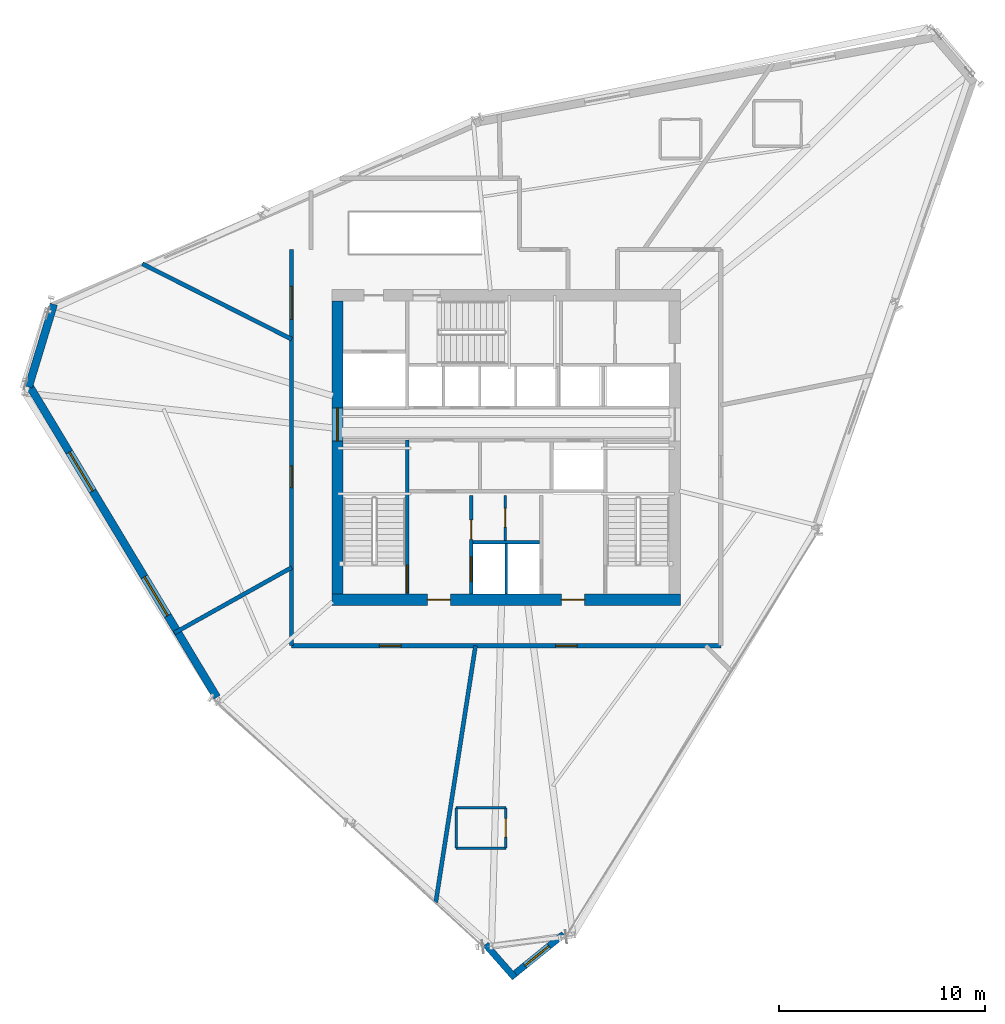
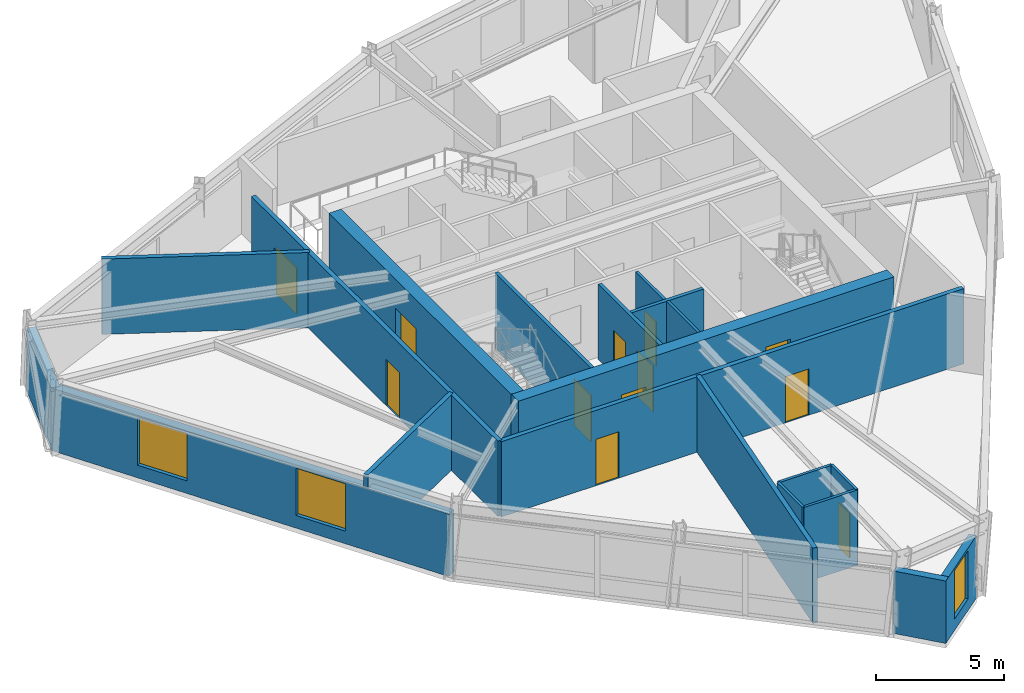
# One storey, part 9 of 13: 20 walls, 12 doors, 3 windows, 15 openings.
"""IFC4 building model written with IfcOpenShell, lengths in metres."""

import ifcopenshell
import ifcopenshell.guid

model = None  # the IFC model being written
_history = None  # IfcOwnerHistory: only IFC2X3 demands one
_inside = {}  # id of a spatial element -> (the spatial element, [elements in it])
_under = {}  # id of a project, library or spatial element -> (it, [spatial elements below it])
_declared = {}  # id of a project -> (the project, [libraries it declares])
_typed = {}  # id of a type object -> (the type object, [elements of that type])
_made_of = {}  # id of a material, layer set ... -> (it, [elements and type objects made of it])


def new_model(schema):
    """Start an empty IFC model of exactly this schema.

    Asked for "IFC4X3", IfcOpenShell would pick the latest addendum, in which some entities
    have other attributes; the version numbers below select the first issue.
    IFC2X3 requires an IfcOwnerHistory on every rooted entity: one is made here for all.
    """
    global model, _history
    if schema == "IFC4X3":
        model = ifcopenshell.file(schema_version=(4, 3, 0, 0))
    else:
        model = ifcopenshell.file(schema=schema)
    _inside.clear()
    _under.clear()
    _declared.clear()
    _typed.clear()
    _made_of.clear()
    _history = None
    if model.schema == "IFC2X3":
        org = make("IfcOrganization", Name="unknown")
        user = make(
            "IfcPersonAndOrganization",
            ThePerson=make("IfcPerson", FamilyName="unknown"),
            TheOrganization=org,
        )
        app = make(
            "IfcApplication",
            ApplicationDeveloper=org,
            Version="unknown",
            ApplicationFullName="unknown",
            ApplicationIdentifier="unknown",
        )
        _history = make(
            "IfcOwnerHistory",
            OwningUser=user,
            OwningApplication=app,
            ChangeAction="ADDED",
            CreationDate=0,
        )
    return model


def make(cls, **values):
    """One entity of the class cls with the attributes given. An attribute that is None is left unset."""
    return model.create_entity(
        cls, **{name: value for name, value in values.items() if value is not None}
    )


def rooted(cls, **values):
    """An entity with a GlobalId (a new one), such as an element, a storey or a relation."""
    return make(cls, GlobalId=ifcopenshell.guid.new(), OwnerHistory=_history, **values)


def si_unit(unit_type, name, prefix=None):
    """IfcSIUnit, for example si_unit("LENGTHUNIT", "METRE", prefix="MILLI")."""
    return make("IfcSIUnit", UnitType=unit_type, Prefix=prefix, Name=name)


def assignment(units):
    """IfcUnitAssignment: the units of a project."""
    return None if units is None else make("IfcUnitAssignment", Units=units)


def point(xyz):
    """IfcCartesianPoint."""
    return None if xyz is None else make("IfcCartesianPoint", Coordinates=xyz)


def direction(xyz):
    """IfcDirection."""
    return None if xyz is None else make("IfcDirection", DirectionRatios=xyz)


def frame(location, z_axis=None, x_axis=None):
    """IfcAxis2Placement3D, a coordinate frame: its origin and axes. An axis left out is left unset."""
    return make(
        "IfcAxis2Placement3D",
        Location=point(location),
        Axis=direction(z_axis),
        RefDirection=direction(x_axis),
    )


def frame_2d(location, x_axis=None):
    """IfcAxis2Placement2D, a coordinate frame in the plane: its origin and x axis."""
    return make(
        "IfcAxis2Placement2D", Location=point(location), RefDirection=direction(x_axis)
    )


def origin():
    """The frame at (0, 0, 0) with its axes left unset."""
    return frame((0.0, 0.0, 0.0))


def place(relative_to, where):
    """IfcLocalPlacement: puts the frame where relative to a parent placement (None: the world)."""
    return make(
        "IfcLocalPlacement", PlacementRelTo=relative_to, RelativePlacement=where
    )


def context(
    kind, dimensions, precision=None, world=None, true_north=None, identifier=None
):
    """IfcGeometricRepresentationContext, for example the 3D "Model" context."""
    return make(
        "IfcGeometricRepresentationContext",
        ContextIdentifier=identifier,
        ContextType=kind,
        CoordinateSpaceDimension=dimensions,
        Precision=precision,
        WorldCoordinateSystem=world,
        TrueNorth=true_north,
    )


def subcontext(parent, identifier, kind, view, scale=None):
    """IfcGeometricRepresentationSubContext, for example "Body" below "Model"."""
    return make(
        "IfcGeometricRepresentationSubContext",
        ContextIdentifier=identifier,
        ContextType=kind,
        ParentContext=parent,
        TargetScale=scale,
        TargetView=view,
    )


def project(units=None, contexts=None):
    """IfcProject with its units and contexts."""
    return rooted(
        "IfcProject",
        Name="project",
        RepresentationContexts=contexts,
        UnitsInContext=assignment(units),
    )


def spatial(cls, under=None, at=None, **own):
    """A site, building, storey or space (cls), placed at a placement, below another one or the project."""
    s = rooted(cls, ObjectPlacement=at, **own)
    if under is not None:
        _under.setdefault(under.id(), (under, []))[1].append(s)
    return s


def profile(cls, at=None, kind="AREA", **sizes):
    """A parametric profile (cls). Its sizes go by their IFC names, for example OverallWidth=200.0."""
    return make(cls, ProfileType=kind, Position=at, **sizes)


def rectangle(**sizes):
    """IfcRectangleProfileDef."""
    return profile("IfcRectangleProfileDef", **sizes)


def extrude(swept, where, along, depth):
    """IfcExtrudedAreaSolid: the profile swept, set in the frame where, extruded along a direction by depth."""
    return make(
        "IfcExtrudedAreaSolid",
        SweptArea=swept,
        Position=where,
        ExtrudedDirection=direction(along),
        Depth=depth,
    )


def shape(context_of_items, identifier, shape_type, items):
    """IfcShapeRepresentation: the items that make up one representation, for example the "Body"."""
    return make(
        "IfcShapeRepresentation",
        ContextOfItems=context_of_items,
        RepresentationIdentifier=identifier,
        RepresentationType=shape_type,
        Items=items,
    )


def source(mapping_origin, context_of_items, identifier, shape_type, items):
    """IfcRepresentationMap: a shape defined once, which mapped items show again and again."""
    return make(
        "IfcRepresentationMap",
        MappingOrigin=mapping_origin,
        MappedRepresentation=shape(context_of_items, identifier, shape_type, items),
    )


def transform(
    local_origin,
    x_axis=None,
    y_axis=None,
    z_axis=None,
    scale=None,
    scale2=None,
    scale3=None,
    uniform=True,
):
    """IfcCartesianTransformationOperator3D, or its non-uniform kind. x_axis, y_axis, z_axis: its Axis1, 2, 3."""
    if uniform:
        return make(
            "IfcCartesianTransformationOperator3D",
            Axis1=direction(x_axis),
            Axis2=direction(y_axis),
            LocalOrigin=point(local_origin),
            Scale=scale,
            Axis3=direction(z_axis),
        )
    return make(
        "IfcCartesianTransformationOperator3DnonUniform",
        Axis1=direction(x_axis),
        Axis2=direction(y_axis),
        LocalOrigin=point(local_origin),
        Scale=scale,
        Axis3=direction(z_axis),
        Scale2=scale2,
        Scale3=scale3,
    )


def mapped(mapping_source, mapping_target):
    """IfcMappedItem: shows the shape of a source again, moved by a transform."""
    return make(
        "IfcMappedItem", MappingSource=mapping_source, MappingTarget=mapping_target
    )


def material(Name=None, Category=None):
    """IfcMaterial."""
    return make("IfcMaterial", Name=Name, Category=Category)


def layer(
    of_material, thickness, ventilated=None, Name=None, Category=None, Priority=None
):
    """IfcMaterialLayer: one layer of a wall or slab, of a material (None: an air gap)."""
    return make(
        "IfcMaterialLayer",
        Material=of_material,
        LayerThickness=thickness,
        IsVentilated=ventilated,
        Name=Name,
        Category=Category,
        Priority=Priority,
    )


def layer_set(layers, Name=None):
    """IfcMaterialLayerSet."""
    return make("IfcMaterialLayerSet", MaterialLayers=layers, LayerSetName=Name)


def made_of(thing, what):
    """Note that an element or type object is made of a material, layer set ...; save() writes the relation."""
    if what is not None:
        _made_of.setdefault(what.id(), (what, []))[1].append(thing)
    return thing


def type_object(cls, material=None, **own):
    """A type object (cls), such as IfcWallType, which elements share."""
    return made_of(rooted(cls, **own), material)


def type_shapes(of_type, sources):
    """Give a type object the sources (RepresentationMaps) that its elements show as mapped items."""
    of_type.RepresentationMaps = sources


def element(
    cls,
    number,
    at=None,
    inside=None,
    cuts=None,
    type_object=None,
    material=None,
    context=None,
    identifier="Body",
    shape_type=None,
    held_by="IfcProductDefinitionShape",
    body=None,
    shapes=None,
    **own,
):
    """One element of the class cls, such as IfcWall. Its Tag is "e" and its number.

    at: its placement. inside: the storey or other place that contains it. cuts: it is an
    opening in that element (IfcRelVoidsElement). A single representation is given by context,
    identifier, shape_type and body (its items); several are given by shapes. held_by: the class
    of the entity that holds the representations. save() writes the other relations.
    """
    e = rooted(cls, Tag="e%d" % number, ObjectPlacement=at, **own)
    if body is not None:
        shapes = [shape(context, identifier, shape_type, body)]
    if shapes is not None:
        e.Representation = make(held_by, Representations=shapes)
    if inside is not None:
        _inside.setdefault(inside.id(), (inside, []))[1].append(e)
    if cuts is not None:
        rooted(
            "IfcRelVoidsElement", RelatingBuildingElement=cuts, RelatedOpeningElement=e
        )
    if type_object is not None:
        _typed.setdefault(type_object.id(), (type_object, []))[1].append(e)
    return made_of(e, material)


def fill(opening, filler):
    """IfcRelFillsElement: the door or window that sits in an opening."""
    return rooted(
        "IfcRelFillsElement",
        RelatingOpeningElement=opening,
        RelatedBuildingElement=filler,
    )


def aggregate(whole, parts):
    """IfcRelAggregates: a whole, such as a stair, and the parts it consists of."""
    return rooted("IfcRelAggregates", RelatingObject=whole, RelatedObjects=parts)


def save(model, path):
    """Write the relations noted so far, then the file.

    IfcRelAggregates (storeys below a building ...), IfcRelContainedInSpatialStructure (elements
    in a storey), IfcRelDefinesByType, IfcRelAssociatesMaterial and IfcRelDeclares: one each for
    every whole, place, type object, material and project.
    """
    for whole, parts in _under.values():
        aggregate(whole, parts)
    for where, things in _inside.values():
        rooted(
            "IfcRelContainedInSpatialStructure",
            RelatedElements=things,
            RelatingStructure=where,
        )
    for kind, things in _typed.values():
        rooted("IfcRelDefinesByType", RelatedObjects=things, RelatingType=kind)
    for what, things in _made_of.values():
        rooted("IfcRelAssociatesMaterial", RelatedObjects=things, RelatingMaterial=what)
    for by, libraries in _declared.values():
        rooted("IfcRelDeclares", RelatingContext=by, RelatedDefinitions=libraries)
    model.write(path)


model = new_model("IFC4")

# Units and contexts
model_context = context("Model", 3, precision=1e-05, world=origin(), true_north=direction((0.0, 1.0)))
body_context = subcontext(model_context, "Body", "Model", "MODEL_VIEW")
ifc_project = project(units=[si_unit("LENGTHUNIT", "METRE"), si_unit("AREAUNIT", "SQUARE_METRE"), si_unit("VOLUMEUNIT", "CUBIC_METRE"), si_unit("PLANEANGLEUNIT", "RADIAN"), si_unit("MASSUNIT", "GRAM", prefix="KILO")], contexts=[model_context])

# Site, building, storey
site_placement = place(None, origin())
site = spatial("IfcSite", under=ifc_project, at=site_placement, CompositionType="ELEMENT")
building_placement = place(site_placement, origin())
building = spatial("IfcBuilding", under=site, at=building_placement, Name="Olszyna Solenne Hotel", CompositionType="ELEMENT")
storey_placement = place(building_placement, frame((0.0, 0.0, 200.300048828125)))
storey = spatial("IfcBuildingStorey", under=building, at=storey_placement, Name="L53", CompositionType="ELEMENT", Elevation=200.300048828125)

# Wall, openings, doors
ifc_material_1 = material(Name="Concrete C50/60", Category="concrete")
ifc_layer_1 = layer(ifc_material_1, 0.550048828125, Name="Concrete C50/60")
ifc_layer_set_1 = layer_set([ifc_layer_1], Name="Concrete C50/60")
wall_type_1 = type_object("IfcWallType", Name="WL-CR550", PredefinedType="SHEAR", material=ifc_layer_set_1)
wall_1_placement = place(storey_placement, frame((46.449951171875, 19.22509765625, 0.0), z_axis=(0.0, 0.0, 1.0), x_axis=(-1.0, 0.0, 0.0)))
wall_1 = element("IfcWall", 1, at=wall_1_placement, inside=storey, type_object=wall_type_1, Name="Core shear wall WL-CR550 CRW-L53-S", PredefinedType="SHEAR", context=body_context, shape_type="SweptSolid", body=[
    extrude(rectangle(XDim=16.89990234375, YDim=0.550048828125, at=frame_2d((8.449951171875, 0.0))), origin(), (0.0, 0.0, 1.0), 3.579833984375),
])
opening_1_placement = place(wall_1_placement, frame((4.64990234375, 0.0, 0.0)))
opening_1 = element("IfcOpeningElement", 2, at=opening_1_placement, cuts=wall_1, Name="Opening FL-L53-1", PredefinedType="OPENING", context=body_context, shape_type="SweptSolid", body=[
    extrude(rectangle(XDim=1.1201171875, YDim=2.25, at=frame_2d((0.56005859375, 1.125))), frame((0.0, 0.28515625, 0.0), z_axis=(0.0, -1.0, 0.0), x_axis=(1.0, 0.0, 0.0)), (0.0, 0.0, 1.0), 0.570068359375),
])
opening_2_placement = place(wall_1_placement, frame((11.14990234375, 0.0, 0.0)))
opening_2 = element("IfcOpeningElement", 3, at=opening_2_placement, cuts=wall_1, Name="Opening FL-L53-2", PredefinedType="OPENING", context=body_context, shape_type="SweptSolid", body=[
    extrude(rectangle(XDim=1.1201171875, YDim=2.25, at=frame_2d((0.56005859375, 1.125))), frame((0.0, 0.28515625, 0.0), z_axis=(0.0, -1.0, 0.0), x_axis=(1.0, 0.0, 0.0)), (0.0, 0.0, 1.0), 0.570068359375),
])
ifc_material_2 = material(Name="Steel S355J2", Category="steel")
door_type_1 = type_object("IfcDoorType", Name="DR-FL1", OperationType="NOTDEFINED", PredefinedType="DOOR", material=ifc_material_2)
shared_shape_1 = source(origin(), body_context, "Body", "SweptSolid", [
    extrude(rectangle(XDim=1.1201171875, YDim=2.25, at=frame_2d((0.56005859375, 1.125))), frame((0.0, 0.02490234375, 0.0), z_axis=(0.0, -1.0, 0.0), x_axis=(1.0, 0.0, 0.0)), (0.0, 0.0, 1.0), 0.050048828125),
])
type_shapes(door_type_1, [shared_shape_1])
door_1_placement = place(opening_1_placement, origin())
door_1 = element("IfcDoor", 4, at=door_1_placement, inside=storey, type_object=door_type_1, Name="Firefighting lift lobby smoke door FL-L53-1", OperationType="SINGLE_SWING_LEFT", OverallHeight=2.25, OverallWidth=1.1201171875, PredefinedType="DOOR", context=body_context, shape_type="MappedRepresentation", body=[
    mapped(shared_shape_1, transform((0.0, 0.0, 0.0), x_axis=(1.0, 0.0, 0.0), y_axis=(0.0, 1.0, 0.0), z_axis=(0.0, 0.0, 1.0), scale=1.0)),
])
fill(opening_1, door_1)
door_2_placement = place(opening_2_placement, origin())
door_2 = element("IfcDoor", 5, at=door_2_placement, inside=storey, type_object=door_type_1, Name="Firefighting lift lobby smoke door FL-L53-2", OperationType="SINGLE_SWING_RIGHT", OverallHeight=2.25, OverallWidth=1.1201171875, PredefinedType="DOOR", context=body_context, shape_type="MappedRepresentation", body=[
    mapped(shared_shape_1, transform((0.0, 0.0, 0.0), x_axis=(1.0, 0.0, 0.0), y_axis=(0.0, 1.0, 0.0), z_axis=(0.0, 0.0, 1.0), scale=1.0)),
])
fill(opening_2, door_2)

# Wall, opening, door
wall_2_placement = place(storey_placement, frame((29.824951171875, 19.5, 0.0), z_axis=(0.0, 0.0, 1.0), x_axis=(0.0, 1.0, 0.0)))
wall_2 = element("IfcWall", 6, at=wall_2_placement, inside=storey, type_object=wall_type_1, Name="Core shear wall WL-CR550 CRW-L53-W", PredefinedType="SHEAR", context=body_context, shape_type="SweptSolid", body=[
    extrude(rectangle(XDim=14.199951171875, YDim=0.550048828125, at=frame_2d((7.10009765625, 0.0))), origin(), (0.0, 0.0, 1.0), 3.579833984375),
])
opening_3_placement = place(wall_2_placement, frame((7.419921875, 0.0, 0.0)))
opening_3 = element("IfcOpeningElement", 7, at=opening_3_placement, cuts=wall_2, Name="Opening LHD-L53-W", PredefinedType="OPENING", context=body_context, shape_type="SweptSolid", body=[
    extrude(rectangle(XDim=1.60009765625, YDim=2.199951171875, at=frame_2d((0.800048828125, 1.10009765625))), frame((0.0, 0.28515625, 0.0), z_axis=(0.0, -1.0, 0.0), x_axis=(1.0, 0.0, 0.0)), (0.0, 0.0, 1.0), 0.570068359375),
])
ifc_material_3 = material(Name="Timber hardwood", Category="wood")
door_type_2 = type_object("IfcDoorType", Name="DR-CR1", OperationType="DOUBLE_DOOR_SINGLE_SWING", PredefinedType="DOOR", material=ifc_material_3)
shared_shape_2 = source(origin(), body_context, "Body", "SweptSolid", [
    extrude(rectangle(XDim=1.60009765625, YDim=2.199951171875, at=frame_2d((0.800048828125, 1.10009765625))), frame((0.0, 0.02490234375, 0.0), z_axis=(0.0, -1.0, 0.0), x_axis=(1.0, 0.0, 0.0)), (0.0, 0.0, 1.0), 0.050048828125),
])
type_shapes(door_type_2, [shared_shape_2])
door_3_placement = place(opening_3_placement, origin())
door_3 = element("IfcDoor", 8, at=door_3_placement, inside=storey, type_object=door_type_2, Name="Passenger lift lobby West fire door LHD-L53-W", OperationType="DOUBLE_DOOR_SINGLE_SWING", OverallHeight=2.199951171875, OverallWidth=1.60009765625, PredefinedType="DOOR", context=body_context, shape_type="MappedRepresentation", body=[
    mapped(shared_shape_2, transform((0.0, 0.0, 0.0), x_axis=(1.0, 0.0, 0.0), y_axis=(0.0, 1.0, 0.0), z_axis=(0.0, 0.0, 1.0), scale=1.0)),
])
fill(opening_3, door_3)

# Wall, opening, window
ifc_material_4 = material(Name="Precast concrete C45/55", Category="concrete")
ifc_layer_2 = layer(ifc_material_4, 0.320068359375, Name="Precast concrete C45/55")
ifc_layer_set_2 = layer_set([ifc_layer_2], Name="Precast concrete C45/55")
wall_type_2 = type_object("IfcWallType", Name="WL-EX320", PredefinedType="SOLIDWALL", material=ifc_layer_set_2)
wall_3_placement = place(storey_placement, frame((40.785400390625, 3.01708984375, 0.0), z_axis=(0.0, 0.0, 1.0), x_axis=(-0.77721751888, -0.629232014718, 0.0)))
wall_3 = element("IfcWall", 9, at=wall_3_placement, inside=storey, type_object=wall_type_2, Name="Exterior terracotta-precast frame wall WL-EX320 EW-L53-02", PredefinedType="SOLIDWALL", context=body_context, shape_type="SweptSolid", body=[
    extrude(rectangle(XDim=3.325927734375, YDim=0.320068359375, at=frame_2d((1.6630859375, 0.0))), origin(), (0.0, 0.0, 1.0), 2.971923828125),
])
opening_4_placement = place(wall_3_placement, frame((0.9130859375, 0.0, 0.552001953125)))
opening_4 = element("IfcOpeningElement", 10, at=opening_4_placement, cuts=wall_3, Name="Opening WN-L53-341", PredefinedType="OPENING", context=body_context, shape_type="SweptSolid", body=[
    extrude(rectangle(XDim=1.5, YDim=2.300048828125, at=frame_2d((0.75, 1.14990234375))), frame((0.0, 0.169921875, 0.0), z_axis=(0.0, -1.0, 0.0), x_axis=(1.0, 0.0, 0.0)), (0.0, 0.0, 1.0), 0.340087890625),
])
ifc_material_5 = material(Name="Low-E triple glazing", Category="glass")
window_type_1 = type_object("IfcWindowType", Name="WN-CH1", PartitioningType="SINGLE_PANEL", PredefinedType="WINDOW", material=ifc_material_5)
shared_shape_3 = source(origin(), body_context, "Body", "SweptSolid", [
    extrude(rectangle(XDim=1.5, YDim=2.300048828125, at=frame_2d((0.75, 1.14990234375))), frame((0.0, 0.030029296875, 0.0), z_axis=(0.0, -1.0, 0.0), x_axis=(1.0, 0.0, 0.0)), (0.0, 0.0, 1.0), 0.06005859375),
])
type_shapes(window_type_1, [shared_shape_3])
window_1_placement = place(opening_4_placement, origin())
window_1 = element("IfcWindow", 11, at=window_1_placement, inside=storey, type_object=window_type_1, Name="Exterior facade window WN-CH1 WN-L53-341", OverallHeight=2.300048828125, OverallWidth=1.5, PartitioningType="SINGLE_PANEL", PredefinedType="WINDOW", context=body_context, shape_type="MappedRepresentation", body=[
    mapped(shared_shape_3, transform((0.0, 0.0, 0.0), x_axis=(1.0, 0.0, 0.0), y_axis=(0.0, 1.0, 0.0), z_axis=(0.0, 0.0, 1.0), scale=1.0)),
])
fill(opening_4, window_1)

# Wall
wall_4_placement = place(storey_placement, frame((38.421142578125, 0.90576171875, 0.0), z_axis=(0.0, 0.0, 1.0), x_axis=(-0.660863197415, 0.750506385251, 0.0)))
element("IfcWall", 12, at=wall_4_placement, inside=storey, type_object=wall_type_2, Name="Exterior terracotta-precast frame wall WL-EX320 EW-L53-03", PredefinedType="SOLIDWALL", context=body_context, shape_type="SweptSolid", body=[
    extrude(rectangle(XDim=2.151611328125, YDim=0.320068359375, at=frame_2d((1.07568359375, 0.0))), origin(), (0.0, 0.0, 1.0), 2.971923828125),
])

# Wall, openings, windows
ifc_material_6 = material(Name="Terracotta cladding on precast concrete C45/55", Category="masonry")
ifc_layer_3 = layer(ifc_material_6, 0.3798828125, Name="Terracotta cladding on precast concrete C45/55")
ifc_layer_set_3 = layer_set([ifc_layer_3], Name="Terracotta cladding on precast concrete C45/55")
wall_type_3 = type_object("IfcWallType", Name="WL-EX380", PredefinedType="SOLIDWALL", material=ifc_layer_set_3)
wall_5_placement = place(storey_placement, frame((23.979248046875, 14.500244140625, 0.0), z_axis=(0.0, 0.0, 1.0), x_axis=(-0.515702182495, 0.856767914298, 0.0)))
wall_5 = element("IfcWall", 13, at=wall_5_placement, inside=storey, type_object=wall_type_3, Name="Exterior terracotta-precast frame wall WL-EX380 EW-L53-05", PredefinedType="SOLIDWALL", context=body_context, shape_type="SweptSolid", body=[
    extrude(rectangle(XDim=17.729248046875, YDim=0.3798828125, at=frame_2d((8.86474609375, 0.0))), origin(), (0.0, 0.0, 1.0), 2.971923828125),
])
opening_5_placement = place(wall_5_placement, frame((4.614013671875, 0.0, 0.60205078125)))
opening_5 = element("IfcOpeningElement", 14, at=opening_5_placement, cuts=wall_5, Name="Opening WN-L53-342", PredefinedType="OPENING", context=body_context, shape_type="SweptSolid", body=[
    extrude(rectangle(XDim=2.199951171875, YDim=2.25, at=frame_2d((1.10009765625, 1.125))), frame((0.0, 0.199951171875, 0.0), z_axis=(0.0, -1.0, 0.0), x_axis=(1.0, 0.0, 0.0)), (0.0, 0.0, 1.0), 0.39990234375),
])
opening_6_placement = place(wall_5_placement, frame((11.6650390625, 0.0, 0.60205078125)))
opening_6 = element("IfcOpeningElement", 15, at=opening_6_placement, cuts=wall_5, Name="Opening WN-L53-343", PredefinedType="OPENING", context=body_context, shape_type="SweptSolid", body=[
    extrude(rectangle(XDim=2.199951171875, YDim=2.25, at=frame_2d((1.10009765625, 1.125))), frame((0.0, 0.199951171875, 0.0), z_axis=(0.0, -1.0, 0.0), x_axis=(1.0, 0.0, 0.0)), (0.0, 0.0, 1.0), 0.39990234375),
])
window_type_2 = type_object("IfcWindowType", Name="WN-HT2", PartitioningType="SINGLE_PANEL", PredefinedType="WINDOW", material=ifc_material_5)
shared_shape_4 = source(origin(), body_context, "Body", "SweptSolid", [
    extrude(rectangle(XDim=2.199951171875, YDim=2.25, at=frame_2d((1.10009765625, 1.125))), frame((0.0, 0.030029296875, 0.0), z_axis=(0.0, -1.0, 0.0), x_axis=(1.0, 0.0, 0.0)), (0.0, 0.0, 1.0), 0.06005859375),
])
type_shapes(window_type_2, [shared_shape_4])
window_2_placement = place(opening_5_placement, origin())
window_2 = element("IfcWindow", 16, at=window_2_placement, inside=storey, type_object=window_type_2, Name="Exterior facade window WN-HT2 WN-L53-342", OverallHeight=2.25, OverallWidth=2.199951171875, PartitioningType="SINGLE_PANEL", PredefinedType="WINDOW", context=body_context, shape_type="MappedRepresentation", body=[
    mapped(shared_shape_4, transform((0.0, 0.0, 0.0), x_axis=(1.0, 0.0, 0.0), y_axis=(0.0, 1.0, 0.0), z_axis=(0.0, 0.0, 1.0), scale=1.0)),
])
fill(opening_5, window_2)
window_3_placement = place(opening_6_placement, origin())
window_3 = element("IfcWindow", 17, at=window_3_placement, inside=storey, type_object=window_type_2, Name="Exterior facade window WN-HT2 WN-L53-343", OverallHeight=2.25, OverallWidth=2.199951171875, PartitioningType="SINGLE_PANEL", PredefinedType="WINDOW", context=body_context, shape_type="MappedRepresentation", body=[
    mapped(shared_shape_4, transform((0.0, 0.0, 0.0), x_axis=(1.0, 0.0, 0.0), y_axis=(0.0, 1.0, 0.0), z_axis=(0.0, 0.0, 1.0), scale=1.0)),
])
fill(opening_6, window_3)

# Walls
wall_6_placement = place(storey_placement, frame((14.855224609375, 29.536865234375, 0.0), z_axis=(0.0, 0.0, 1.0), x_axis=(0.29062357324, 0.956837467221, 0.0)))
element("IfcWall", 18, at=wall_6_placement, inside=storey, type_object=wall_type_3, Name="Exterior terracotta-precast frame wall WL-EX380 EW-L53-06", PredefinedType="SOLIDWALL", context=body_context, shape_type="SweptSolid", body=[
    extrude(rectangle(XDim=4.189453125, YDim=0.3798828125, at=frame_2d((2.0947265625, 0.0))), origin(), (0.0, 0.0, 1.0), 2.971923828125),
])
ifc_material_7 = material(Name="Acoustic gypsum partition", Category="gypsum")
ifc_layer_4 = layer(ifc_material_7, 0.125, Name="Acoustic gypsum partition")
ifc_layer_set_4 = layer_set([ifc_layer_4], Name="Acoustic gypsum partition")
wall_type_4 = type_object("IfcWallType", Name="WL-PT125", PredefinedType="PARTITIONING", material=ifc_layer_set_4)
wall_7_placement = place(storey_placement, frame((38.0, 19.5, 0.0), z_axis=(0.0, 0.0, 1.0), x_axis=(0.0, 1.0, 0.0)))
element("IfcWall", 19, at=wall_7_placement, inside=storey, type_object=wall_type_4, Name="Core shaft compartment wall CW-L53-FFM", PredefinedType="PARTITIONING", context=body_context, shape_type="SweptSolid", body=[
    extrude(rectangle(XDim=2.4599609375, YDim=0.125, at=frame_2d((1.22998046875, 0.0))), origin(), (0.0, 0.0, 1.0), 3.579833984375),
])

# Wall, opening, door
wall_8_placement = place(storey_placement, frame((37.9599609375, 22.10009765625, 0.0), z_axis=(0.0, 0.0, 1.0), x_axis=(0.0, 1.0, 0.0)))
wall_8 = element("IfcWall", 20, at=wall_8_placement, inside=storey, type_object=wall_type_4, Name="Core shaft compartment wall CW-L53-SC1", PredefinedType="PARTITIONING", context=body_context, shape_type="SweptSolid", body=[
    extrude(rectangle(XDim=2.179931640625, YDim=0.125, at=frame_2d((1.08984375, 0.0))), origin(), (0.0, 0.0, 1.0), 3.579833984375),
])
opening_7_placement = place(wall_8_placement, frame((0.64990234375, 0.0, 0.0)))
opening_7 = element("IfcOpeningElement", 21, at=opening_7_placement, cuts=wall_8, Name="Opening SVD-L53-SC1", PredefinedType="OPENING", context=body_context, shape_type="SweptSolid", body=[
    extrude(rectangle(XDim=0.89990234375, YDim=2.10009765625, at=frame_2d((0.449951171875, 1.050048828125))), frame((0.0, 0.072509765625, 0.0), z_axis=(0.0, -1.0, 0.0), x_axis=(1.0, 0.0, 0.0)), (0.0, 0.0, 1.0), 0.14501953125),
])
door_type_3 = type_object("IfcDoorType", Name="DR-WC1", OperationType="NOTDEFINED", PredefinedType="DOOR", material=ifc_material_3)
shared_shape_5 = source(origin(), body_context, "Body", "SweptSolid", [
    extrude(rectangle(XDim=0.89990234375, YDim=2.10009765625, at=frame_2d((0.449951171875, 1.050048828125))), frame((0.0, 0.02490234375, 0.0), z_axis=(0.0, -1.0, 0.0), x_axis=(1.0, 0.0, 0.0)), (0.0, 0.0, 1.0), 0.050048828125),
])
type_shapes(door_type_3, [shared_shape_5])
door_4_placement = place(opening_7_placement, origin())
door_4 = element("IfcDoor", 22, at=door_4_placement, inside=storey, type_object=door_type_3, Name="Pantry locker door SVD-L53-SC1", OperationType="SINGLE_SWING_LEFT", OverallHeight=2.10009765625, OverallWidth=0.89990234375, PredefinedType="DOOR", context=body_context, shape_type="MappedRepresentation", body=[
    mapped(shared_shape_5, transform((0.0, 0.0, 0.0), x_axis=(1.0, 0.0, 0.0), y_axis=(0.0, 1.0, 0.0), z_axis=(0.0, 0.0, 1.0), scale=1.0)),
])
fill(opening_7, door_4)

wall_9_placement = place(storey_placement, frame((37.97900390625, 7.194091796875, 0.0), z_axis=(0.0, 0.0, 1.0), x_axis=(0.0, 1.0, 0.0)))
wall_9 = element("IfcWall", 23, at=wall_9_placement, inside=storey, type_object=wall_type_4, Name="Interior acoustic partition WL-PT125 PW-L53-2986", PredefinedType="PARTITIONING", context=body_context, shape_type="SweptSolid", body=[
    extrude(rectangle(XDim=1.949951171875, YDim=0.125, at=frame_2d((0.97509765625, 0.0))), origin(), (0.0, 0.0, 1.0), 3.579833984375),
])
opening_8_placement = place(wall_9_placement, frame((0.52490234375, 0.0, 0.0)))
opening_8 = element("IfcOpeningElement", 24, at=opening_8_placement, cuts=wall_9, Name="Opening DR-L53-0724", PredefinedType="OPENING", context=body_context, shape_type="SweptSolid", body=[
    extrude(rectangle(XDim=0.89990234375, YDim=2.10009765625, at=frame_2d((0.449951171875, 1.050048828125))), frame((0.0, 0.072509765625, 0.0), z_axis=(0.0, -1.0, 0.0), x_axis=(1.0, 0.0, 0.0)), (0.0, 0.0, 1.0), 0.14501953125),
])
door_5_placement = place(opening_8_placement, origin())
door_5 = element("IfcDoor", 25, at=door_5_placement, inside=storey, type_object=door_type_3, Name="En-Suite Bathroom Door DR-L53-0724", OperationType="SINGLE_SWING_RIGHT", OverallHeight=2.10009765625, OverallWidth=0.89990234375, PredefinedType="DOOR", context=body_context, shape_type="MappedRepresentation", body=[
    mapped(shared_shape_5, transform((0.0, 0.0, 0.0), x_axis=(1.0, 0.0, 0.0), y_axis=(0.0, 1.0, 0.0), z_axis=(0.0, 0.0, 1.0), scale=1.0)),
])
fill(opening_8, door_5)

# Walls
wall_10_placement = place(storey_placement, frame((37.97900390625, 9.14404296875, 0.0), z_axis=(0.0, 0.0, 1.0), x_axis=(-1.0, 0.0, 0.0)))
element("IfcWall", 26, at=wall_10_placement, inside=storey, type_object=wall_type_4, Name="Interior acoustic partition WL-PT125 PW-L53-2987", PredefinedType="PARTITIONING", context=body_context, shape_type="SweptSolid", body=[
    extrude(rectangle(XDim=2.39990234375, YDim=0.125, at=frame_2d((1.199951171875, 0.0))), origin(), (0.0, 0.0, 1.0), 3.579833984375),
])
wall_11_placement = place(storey_placement, frame((35.5791015625, 9.14404296875, 0.0), z_axis=(0.0, 0.0, 1.0), x_axis=(0.0, -1.0, 0.0)))
element("IfcWall", 27, at=wall_11_placement, inside=storey, type_object=wall_type_4, Name="Interior acoustic partition WL-PT125 PW-L53-2988", PredefinedType="PARTITIONING", context=body_context, shape_type="SweptSolid", body=[
    extrude(rectangle(XDim=1.949951171875, YDim=0.125, at=frame_2d((0.97509765625, 0.0))), origin(), (0.0, 0.0, 1.0), 3.579833984375),
])
wall_12_placement = place(storey_placement, frame((35.5791015625, 7.194091796875, 0.0), z_axis=(0.0, 0.0, 1.0), x_axis=(1.0, 0.0, 0.0)))
element("IfcWall", 28, at=wall_12_placement, inside=storey, type_object=wall_type_4, Name="Interior acoustic partition WL-PT125 PW-L53-2989", PredefinedType="PARTITIONING", context=body_context, shape_type="SweptSolid", body=[
    extrude(rectangle(XDim=2.39990234375, YDim=0.125, at=frame_2d((1.199951171875, 0.0))), origin(), (0.0, 0.0, 1.0), 3.579833984375),
])

# Wall, opening, door
ifc_layer_5 = layer(ifc_material_7, 0.159912109375, Name="Acoustic gypsum partition")
ifc_layer_set_5 = layer_set([ifc_layer_5], Name="Acoustic gypsum partition")
wall_type_5 = type_object("IfcWallType", Name="WL-PT160", PredefinedType="PARTITIONING", material=ifc_layer_set_5)
wall_13_placement = place(storey_placement, frame((33.199951171875, 19.5, 0.0), z_axis=(0.0, 0.0, 1.0), x_axis=(0.0, 1.0, 0.0)))
wall_13 = element("IfcWall", 29, at=wall_13_placement, inside=storey, type_object=wall_type_5, Name="Core shaft compartment wall CW-L53-ST1E", PredefinedType="PARTITIONING", context=body_context, shape_type="SweptSolid", body=[
    extrude(rectangle(XDim=7.4599609375, YDim=0.159912109375, at=frame_2d((3.72998046875, 0.0))), origin(), (0.0, 0.0, 1.0), 3.579833984375),
])
opening_9_placement = place(wall_13_placement, frame((0.080078125, 0.0, 0.0)))
opening_9 = element("IfcOpeningElement", 30, at=opening_9_placement, cuts=wall_13, Name="Opening STD-L53-01", PredefinedType="OPENING", context=body_context, shape_type="SweptSolid", body=[
    extrude(rectangle(XDim=1.320068359375, YDim=2.199951171875, at=frame_2d((0.66015625, 1.10009765625))), frame((0.0, 0.08984375, 0.0), z_axis=(0.0, -1.0, 0.0), x_axis=(1.0, 0.0, 0.0)), (0.0, 0.0, 1.0), 0.179931640625),
])
door_type_4 = type_object("IfcDoorType", Name="DR-ST1", OperationType="NOTDEFINED", PredefinedType="DOOR", material=ifc_material_2)
shared_shape_6 = source(origin(), body_context, "Body", "SweptSolid", [
    extrude(rectangle(XDim=1.320068359375, YDim=2.199951171875, at=frame_2d((0.66015625, 1.10009765625))), frame((0.0, 0.02490234375, 0.0), z_axis=(0.0, -1.0, 0.0), x_axis=(1.0, 0.0, 0.0)), (0.0, 0.0, 1.0), 0.050048828125),
])
type_shapes(door_type_4, [shared_shape_6])
door_6_placement = place(opening_9_placement, origin())
door_6 = element("IfcDoor", 31, at=door_6_placement, inside=storey, type_object=door_type_4, Name="Pressurised exit stair ST1 fire door STD-L53-01", OperationType="SINGLE_SWING_LEFT", OverallHeight=2.199951171875, OverallWidth=1.320068359375, PredefinedType="DOOR", context=body_context, shape_type="MappedRepresentation", body=[
    mapped(shared_shape_6, transform((0.0, 0.0, 0.0), x_axis=(1.0, 0.0, 0.0), y_axis=(0.0, 1.0, 0.0), z_axis=(0.0, 0.0, 1.0), scale=1.0)),
])
fill(opening_9, door_6)

# Wall, openings, doors
wall_14_placement = place(storey_placement, frame((36.300048828125, 19.5, 0.0), z_axis=(0.0, 0.0, 1.0), x_axis=(0.0, 1.0, 0.0)))
wall_14 = element("IfcWall", 32, at=wall_14_placement, inside=storey, type_object=wall_type_5, Name="Core shaft compartment wall CW-L53-FF1W", PredefinedType="PARTITIONING", context=body_context, shape_type="SweptSolid", body=[
    extrude(rectangle(XDim=4.780029296875, YDim=0.159912109375, at=frame_2d((2.39013671875, 0.0))), origin(), (0.0, 0.0, 1.0), 3.579833984375),
])
opening_10_placement = place(wall_14_placement, frame((0.60009765625, 0.0, 0.0)))
opening_10 = element("IfcOpeningElement", 33, at=opening_10_placement, cuts=wall_14, Name="Opening LD-L53-FF1", PredefinedType="OPENING", context=body_context, shape_type="SweptSolid", body=[
    extrude(rectangle(XDim=1.199951171875, YDim=2.199951171875, at=frame_2d((0.60009765625, 1.10009765625))), frame((0.0, 0.08984375, 0.0), z_axis=(0.0, -1.0, 0.0), x_axis=(1.0, 0.0, 0.0)), (0.0, 0.0, 1.0), 0.179931640625),
])
opening_11_placement = place(wall_14_placement, frame((2.64990234375, 0.0, 0.0)))
opening_11 = element("IfcOpeningElement", 34, at=opening_11_placement, cuts=wall_14, Name="Opening SVD-L53-SMK", PredefinedType="OPENING", context=body_context, shape_type="SweptSolid", body=[
    extrude(rectangle(XDim=0.949951171875, YDim=2.10009765625, at=frame_2d((0.47509765625, 1.050048828125))), frame((0.0, 0.08984375, 0.0), z_axis=(0.0, -1.0, 0.0), x_axis=(1.0, 0.0, 0.0)), (0.0, 0.0, 1.0), 0.179931640625),
])
door_type_5 = type_object("IfcDoorType", Name="DR-SV1", OperationType="NOTDEFINED", PredefinedType="DOOR", material=ifc_material_2)
shared_shape_7 = source(origin(), body_context, "Body", "SweptSolid", [
    extrude(rectangle(XDim=0.949951171875, YDim=2.10009765625, at=frame_2d((0.47509765625, 1.050048828125))), frame((0.0, 0.02490234375, 0.0), z_axis=(0.0, -1.0, 0.0), x_axis=(1.0, 0.0, 0.0)), (0.0, 0.0, 1.0), 0.050048828125),
])
type_shapes(door_type_5, [shared_shape_7])
door_7_placement = place(opening_11_placement, origin())
door_7 = element("IfcDoor", 35, at=door_7_placement, inside=storey, type_object=door_type_5, Name="Valet and core service room door SVD-L53-SMK", OperationType="SINGLE_SWING_LEFT", OverallHeight=2.10009765625, OverallWidth=0.949951171875, PredefinedType="DOOR", context=body_context, shape_type="MappedRepresentation", body=[
    mapped(shared_shape_7, transform((0.0, 0.0, 0.0), x_axis=(1.0, 0.0, 0.0), y_axis=(0.0, 1.0, 0.0), z_axis=(0.0, 0.0, 1.0), scale=1.0)),
])
fill(opening_11, door_7)
door_type_6 = type_object("IfcDoorType", Name="LD-FF1", OperationType="DOUBLE_DOOR_SLIDING", PredefinedType="DOOR", material=ifc_material_2)
shared_shape_8 = source(origin(), body_context, "Body", "SweptSolid", [
    extrude(rectangle(XDim=1.199951171875, YDim=2.199951171875, at=frame_2d((0.60009765625, 1.10009765625))), frame((0.0, 0.02490234375, 0.0), z_axis=(0.0, -1.0, 0.0), x_axis=(1.0, 0.0, 0.0)), (0.0, 0.0, 1.0), 0.050048828125),
])
type_shapes(door_type_6, [shared_shape_8])
door_8_placement = place(opening_10_placement, origin())
door_8 = element("IfcDoor", 36, at=door_8_placement, inside=storey, type_object=door_type_6, Name="Firefighters lift FF1 sliding landing door LD-L53-FF1", OperationType="DOUBLE_DOOR_SLIDING", OverallHeight=2.199951171875, OverallWidth=1.199951171875, PredefinedType="DOOR", context=body_context, shape_type="MappedRepresentation", body=[
    mapped(shared_shape_8, transform((0.0, 0.0, 0.0), x_axis=(1.0, 0.0, 0.0), y_axis=(0.0, 1.0, 0.0), z_axis=(0.0, 0.0, 1.0), scale=1.0)),
])
fill(opening_10, door_8)

# Walls
wall_15_placement = place(storey_placement, frame((36.3798828125, 22.02001953125, 0.0), z_axis=(0.0, 0.0, 1.0), x_axis=(1.0, 0.0, 0.0)))
element("IfcWall", 37, at=wall_15_placement, inside=storey, type_object=wall_type_5, Name="Core shaft compartment wall CW-L53-FFN", PredefinedType="PARTITIONING", context=body_context, shape_type="SweptSolid", body=[
    extrude(rectangle(XDim=3.240234375, YDim=0.159912109375, at=frame_2d((1.6201171875, 0.0))), origin(), (0.0, 0.0, 1.0), 3.579833984375),
])
ifc_layer_6 = layer(ifc_material_7, 0.199951171875, Name="Acoustic gypsum partition")
ifc_layer_set_6 = layer_set([ifc_layer_6], Name="Acoustic gypsum partition")
wall_type_6 = type_object("IfcWallType", Name="WL-PT200", PredefinedType="PARTITIONING", material=ifc_layer_set_6)
wall_16_placement = place(storey_placement, frame((27.60009765625, 31.853515625, 0.0), z_axis=(0.0, 0.0, 1.0), x_axis=(-0.892599008616, 0.450851427655, 0.0)))
element("IfcWall", 38, at=wall_16_placement, inside=storey, type_object=wall_type_6, Name="Interior acoustic partition WL-PT200 PW-L53-2980", PredefinedType="PARTITIONING", context=body_context, shape_type="SweptSolid", body=[
    extrude(rectangle(XDim=8.098876953125, YDim=0.199951171875, at=frame_2d((4.04931640625, 0.0))), origin(), (0.0, 0.0, 1.0), 3.579833984375),
])
wall_17_placement = place(storey_placement, frame((27.60009765625, 20.78759765625, 0.0), z_axis=(0.0, 0.0, 1.0), x_axis=(-0.872931735327, -0.487842377678, 0.0)))
element("IfcWall", 39, at=wall_17_placement, inside=storey, type_object=wall_type_6, Name="Interior acoustic partition WL-PT200 PW-L53-2981", PredefinedType="PARTITIONING", context=body_context, shape_type="SweptSolid", body=[
    extrude(rectangle(XDim=6.5078125, YDim=0.199951171875, at=frame_2d((3.25390625, 0.0))), origin(), (0.0, 0.0, 1.0), 3.579833984375),
])
wall_18_placement = place(storey_placement, frame((36.513916015625, 17.0, 0.0), z_axis=(0.0, 0.0, 1.0), x_axis=(-0.152982434714, -0.988228908031, 0.0)))
element("IfcWall", 40, at=wall_18_placement, inside=storey, type_object=wall_type_6, Name="Interior acoustic partition WL-PT200 PW-L53-2982", PredefinedType="PARTITIONING", context=body_context, shape_type="SweptSolid", body=[
    extrude(rectangle(XDim=12.58984375, YDim=0.199951171875, at=frame_2d((6.294921875, 0.0))), origin(), (0.0, 0.0, 1.0), 3.579833984375),
])

# Wall, openings, doors
wall_19_placement = place(storey_placement, frame((27.60009765625, 17.0, 0.0), z_axis=(0.0, 0.0, 1.0), x_axis=(1.0, 0.0, 0.0)))
wall_19 = element("IfcWall", 41, at=wall_19_placement, inside=storey, type_object=wall_type_6, Name="Interior acoustic partition WL-PT200 PW-L53-2998", PredefinedType="PARTITIONING", context=body_context, shape_type="SweptSolid", body=[
    extrude(rectangle(XDim=20.7998046875, YDim=0.199951171875, at=frame_2d((10.39990234375, 0.0))), origin(), (0.0, 0.0, 1.0), 3.579833984375),
])
opening_12_placement = place(wall_19_placement, frame((4.25390625, 0.0, 0.0)))
opening_12 = element("IfcOpeningElement", 42, at=opening_12_placement, cuts=wall_19, Name="Opening DR-L53-0727", PredefinedType="OPENING", context=body_context, shape_type="SweptSolid", body=[
    extrude(rectangle(XDim=1.050048828125, YDim=2.199951171875, at=frame_2d((0.52490234375, 1.10009765625))), frame((0.0, 0.10986328125, 0.0), z_axis=(0.0, -1.0, 0.0), x_axis=(1.0, 0.0, 0.0)), (0.0, 0.0, 1.0), 0.219970703125),
])
opening_13_placement = place(wall_19_placement, frame((12.791015625, 0.0, 0.0)))
opening_13 = element("IfcOpeningElement", 43, at=opening_13_placement, cuts=wall_19, Name="Opening DR-L53-0728", PredefinedType="OPENING", context=body_context, shape_type="SweptSolid", body=[
    extrude(rectangle(XDim=1.050048828125, YDim=2.199951171875, at=frame_2d((0.52490234375, 1.10009765625))), frame((0.0, 0.10986328125, 0.0), z_axis=(0.0, -1.0, 0.0), x_axis=(1.0, 0.0, 0.0)), (0.0, 0.0, 1.0), 0.219970703125),
])
door_type_7 = type_object("IfcDoorType", Name="DR-RM2", OperationType="NOTDEFINED", PredefinedType="DOOR", material=ifc_material_3)
shared_shape_9 = source(origin(), body_context, "Body", "SweptSolid", [
    extrude(rectangle(XDim=1.050048828125, YDim=2.199951171875, at=frame_2d((0.52490234375, 1.10009765625))), frame((0.0, 0.02490234375, 0.0), z_axis=(0.0, -1.0, 0.0), x_axis=(1.0, 0.0, 0.0)), (0.0, 0.0, 1.0), 0.050048828125),
])
type_shapes(door_type_7, [shared_shape_9])
door_9_placement = place(opening_12_placement, origin())
door_9 = element("IfcDoor", 44, at=door_9_placement, inside=storey, type_object=door_type_7, Name="Botanical Tea Pavilion Entrance Door DR-L53-0727", OperationType="SINGLE_SWING_RIGHT", OverallHeight=2.199951171875, OverallWidth=1.050048828125, PredefinedType="DOOR", context=body_context, shape_type="MappedRepresentation", body=[
    mapped(shared_shape_9, transform((0.0, 0.0, 0.0), x_axis=(1.0, 0.0, 0.0), y_axis=(0.0, 1.0, 0.0), z_axis=(0.0, 0.0, 1.0), scale=1.0)),
])
fill(opening_12, door_9)
door_10_placement = place(opening_13_placement, origin())
door_10 = element("IfcDoor", 45, at=door_10_placement, inside=storey, type_object=door_type_7, Name="Horizon Suite Entrance Door DR-L53-0728", OperationType="SINGLE_SWING_LEFT", OverallHeight=2.199951171875, OverallWidth=1.050048828125, PredefinedType="DOOR", context=body_context, shape_type="MappedRepresentation", body=[
    mapped(shared_shape_9, transform((0.0, 0.0, 0.0), x_axis=(1.0, 0.0, 0.0), y_axis=(0.0, 1.0, 0.0), z_axis=(0.0, 0.0, 1.0), scale=1.0)),
])
fill(opening_13, door_10)

wall_20_placement = place(storey_placement, frame((27.60009765625, 17.0, 0.0), z_axis=(0.0, 0.0, 1.0), x_axis=(0.0, 1.0, 0.0)))
wall_20 = element("IfcWall", 46, at=wall_20_placement, inside=storey, type_object=wall_type_6, Name="Interior acoustic partition WL-PT200 PW-L53-2999", PredefinedType="PARTITIONING", context=body_context, shape_type="SweptSolid", body=[
    extrude(rectangle(XDim=19.199951171875, YDim=0.199951171875, at=frame_2d((9.60009765625, 0.0))), origin(), (0.0, 0.0, 1.0), 3.579833984375),
])
opening_14_placement = place(wall_20_placement, frame((15.81298828125, 0.0, 0.0)))
opening_14 = element("IfcOpeningElement", 47, at=opening_14_placement, cuts=wall_20, Name="Opening DR-L53-0729", PredefinedType="OPENING", context=body_context, shape_type="SweptSolid", body=[
    extrude(rectangle(XDim=1.60009765625, YDim=2.199951171875, at=frame_2d((0.800048828125, 1.10009765625))), frame((0.0, 0.10986328125, 0.0), z_axis=(0.0, -1.0, 0.0), x_axis=(1.0, 0.0, 0.0)), (0.0, 0.0, 1.0), 0.219970703125),
])
opening_15_placement = place(wall_20_placement, frame((7.659912109375, 0.0, 0.0)))
opening_15 = element("IfcOpeningElement", 48, at=opening_15_placement, cuts=wall_20, Name="Opening DR-L53-0730", PredefinedType="OPENING", context=body_context, shape_type="SweptSolid", body=[
    extrude(rectangle(XDim=1.050048828125, YDim=2.199951171875, at=frame_2d((0.52490234375, 1.10009765625))), frame((0.0, 0.10986328125, 0.0), z_axis=(0.0, -1.0, 0.0), x_axis=(1.0, 0.0, 0.0)), (0.0, 0.0, 1.0), 0.219970703125),
])
door_11_placement = place(opening_14_placement, origin())
door_11 = element("IfcDoor", 49, at=door_11_placement, inside=storey, type_object=door_type_2, Name="Winter Sky Garden Conservatory Entrance Door DR-L53-0729", OperationType="DOUBLE_DOOR_SINGLE_SWING", OverallHeight=2.199951171875, OverallWidth=1.60009765625, PredefinedType="DOOR", context=body_context, shape_type="MappedRepresentation", body=[
    mapped(shared_shape_2, transform((0.0, 0.0, 0.0), x_axis=(1.0, 0.0, 0.0), y_axis=(0.0, 1.0, 0.0), z_axis=(0.0, 0.0, 1.0), scale=1.0)),
])
fill(opening_14, door_11)
door_12_placement = place(opening_15_placement, origin())
door_12 = element("IfcDoor", 50, at=door_12_placement, inside=storey, type_object=door_type_7, Name="Sky Lobby Lounge Entrance Door DR-L53-0730", OperationType="SINGLE_SWING_LEFT", OverallHeight=2.199951171875, OverallWidth=1.050048828125, PredefinedType="DOOR", context=body_context, shape_type="MappedRepresentation", body=[
    mapped(shared_shape_9, transform((0.0, 0.0, 0.0), x_axis=(1.0, 0.0, 0.0), y_axis=(0.0, 1.0, 0.0), z_axis=(0.0, 0.0, 1.0), scale=1.0)),
])
fill(opening_15, door_12)

save(model, "model.ifc")
